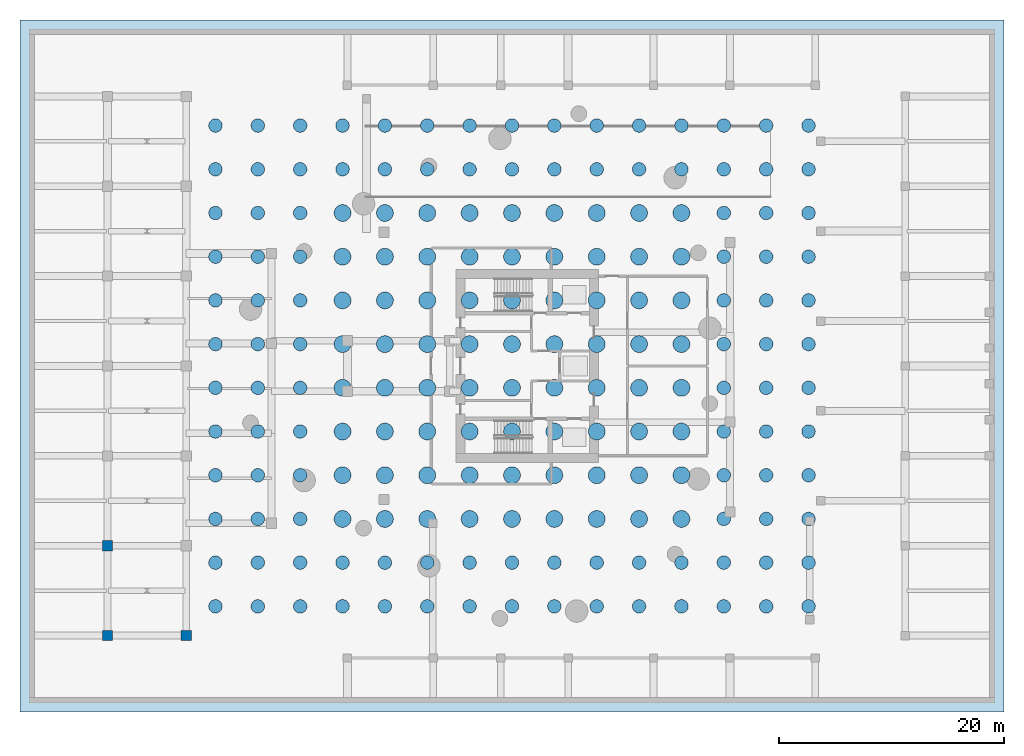
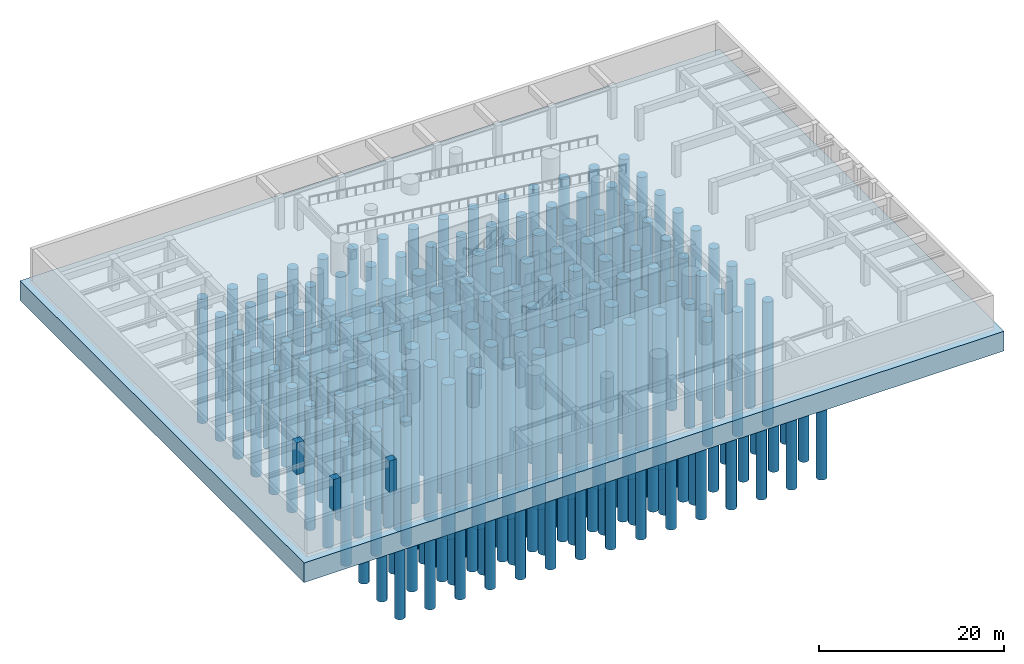
# One storey, part 1 of 11: 180 piles, 3 columns, 1 footing.
"""IFC4 building model written with IfcOpenShell, lengths in metres."""

from ifc_helpers import new_model, si_unit, direction, frame, origin, origin_2d, place, context, subcontext, project, spatial, polyline, rectangle, circle, outline, extrude, source, transform, mapped, material, layer, layer_set, material_profile, profile_set, type_object, element, save


model = new_model("IFC4")

# Units and contexts
model_context = context("Model", 3, precision=1e-05, world=origin(), true_north=direction((0.0, 1.0)))
body_context = subcontext(model_context, "Body", "Model", "MODEL_VIEW")
ifc_project = project(units=[si_unit("LENGTHUNIT", "METRE"), si_unit("AREAUNIT", "SQUARE_METRE"), si_unit("VOLUMEUNIT", "CUBIC_METRE"), si_unit("PLANEANGLEUNIT", "RADIAN"), si_unit("MASSUNIT", "GRAM", prefix="KILO")], contexts=[model_context])

# Site, building, storey
site_placement = place(None, origin())
site = spatial("IfcSite", under=ifc_project, at=site_placement, CompositionType="ELEMENT")
building_placement = place(site_placement, origin())
building = spatial("IfcBuilding", under=site, at=building_placement, Name="Qafzar Sky-Pleat Residences", CompositionType="ELEMENT")
storey_placement = place(building_placement, frame((0.0, 0.0, -8.699951171875)))
storey = spatial("IfcBuildingStorey", under=building, at=storey_placement, Name="B02", CompositionType="ELEMENT", Elevation=-8.699951171875)

# Footing
ifc_material_1 = material(Name="Concrete C60/75", Category="concrete")
ifc_layer = layer(ifc_material_1, 2.60009765625)
ifc_layer_set = layer_set([ifc_layer], Name="Concrete C60/75")
footing_type = type_object("IfcFootingType", Name="FTG-RAFT-2600", PredefinedType="USERDEFINED", material=ifc_layer_set)
footing_placement = place(storey_placement, frame((0.0, 0.0, -3.0)))
element("IfcFooting", 1, at=footing_placement, inside=storey, type_object=footing_type, Name="B02 Piled Raft Foundation", ObjectType="PILED_RAFT", PredefinedType="USERDEFINED", context=body_context, shape_type="SweptSolid", body=[
    extrude(outline(polyline([(-14.800048828125, -4.800048828125), (72.800048828125, -4.800048828125), (72.800048828125, 56.800048828125), (-14.800048828125, 56.800048828125), (-14.800048828125, -4.800048828125)])), origin(), (0.0, 0.0, 1.0), 2.599853515625),
])

# Piles
ifc_material_2 = material(Name="Concrete C50/60", Category="concrete")
ifc_material_profile_1 = material_profile(ifc_material_2, circle(Radius=0.60009765625, at=origin_2d()), Name="PILE D1200")
ifc_profile_set_1 = profile_set([ifc_material_profile_1], Name="Concrete C50/60")
pile_type_1 = type_object("IfcPileType", Name="PILE-D1200", PredefinedType="BORED", material=ifc_profile_set_1)
shared_shape_1 = source(origin(), body_context, "Body", "SweptSolid", [
    extrude(circle(Radius=0.60009765625, at=origin_2d()), origin(), (0.0, 0.0, 1.0), 16.449951171875),
])
for number, where, z_axis, x_axis, name in (
    (2, (2.60009765625, 4.60009765625, -2.85009765625), (0.0, 0.0, -1.0), (1.0, 0.0, 0.0), "Bored Pile PILE-PL2-001"),
    (3, (6.371337890625, 4.60009765625, -2.85009765625), (0.0, 0.0, -1.0), (1.0, 0.0, 0.0), "Bored Pile PILE-PL2-002"),
    (4, (10.142822265625, 4.60009765625, -2.85009765625), (0.0, 0.0, -1.0), (1.0, 0.0, 0.0), "Bored Pile PILE-PL2-003"),
    (5, (13.914306640625, 4.60009765625, -2.85009765625), (0.0, 0.0, -1.0), (1.0, 0.0, 0.0), "Bored Pile PILE-PL2-004"),
    (6, (17.685791015625, 4.60009765625, -2.85009765625), (0.0, 0.0, -1.0), (1.0, 0.0, 0.0), "Bored Pile PILE-PL2-005"),
    (7, (21.45703125, 4.60009765625, -2.85009765625), (0.0, 0.0, -1.0), (1.0, 0.0, 0.0), "Bored Pile PILE-PL2-006"),
    (8, (25.228515625, 4.60009765625, -2.85009765625), (0.0, 0.0, -1.0), (1.0, 0.0, 0.0), "Bored Pile PILE-PL2-007"),
    (9, (29.0, 4.60009765625, -2.85009765625), (0.0, 0.0, -1.0), (1.0, 0.0, 0.0), "Bored Pile PILE-PL2-008"),
    (10, (32.771484375, 4.60009765625, -2.85009765625), (0.0, 0.0, -1.0), (1.0, 0.0, 0.0), "Bored Pile PILE-PL2-009"),
    (11, (36.54296875, 4.60009765625, -2.85009765625), (0.0, 0.0, -1.0), (1.0, 0.0, 0.0), "Bored Pile PILE-PL2-010"),
    (12, (40.314208984375, 4.60009765625, -2.85009765625), (0.0, 0.0, -1.0), (1.0, 0.0, 0.0), "Bored Pile PILE-PL2-011"),
    (13, (44.085693359375, 4.60009765625, -2.85009765625), (0.0, 0.0, -1.0), (1.0, 0.0, 0.0), "Bored Pile PILE-PL2-012"),
    (14, (47.857177734375, 4.60009765625, -2.85009765625), (0.0, 0.0, -1.0), (1.0, 0.0, 0.0), "Bored Pile PILE-PL2-013"),
    (15, (51.628662109375, 4.60009765625, -2.85009765625), (0.0, 0.0, -1.0), (1.0, 0.0, 0.0), "Bored Pile PILE-PL2-014"),
    (16, (55.39990234375, 4.60009765625, -2.85009765625), (0.0, 0.0, -1.0), (1.0, 0.0, 0.0), "Bored Pile PILE-PL2-015"),
    (17, (2.60009765625, 8.490966796875, -2.85009765625), (0.0, 0.0, -1.0), (1.0, 0.0, 0.0), "Bored Pile PILE-PL2-016"),
    (18, (6.371337890625, 8.490966796875, -2.85009765625), (0.0, 0.0, -1.0), (1.0, 0.0, 0.0), "Bored Pile PILE-PL2-017"),
    (19, (10.142822265625, 8.490966796875, -2.85009765625), (0.0, 0.0, -1.0), (1.0, 0.0, 0.0), "Bored Pile PILE-PL2-018"),
    (20, (13.914306640625, 8.490966796875, -2.85009765625), (0.0, 0.0, -1.0), (1.0, 0.0, 0.0), "Bored Pile PILE-PL2-019"),
    (21, (17.685791015625, 8.490966796875, -2.85009765625), (0.0, 0.0, -1.0), (1.0, 0.0, 0.0), "Bored Pile PILE-PL2-020"),
    (22, (21.45703125, 8.490966796875, -2.85009765625), (0.0, 0.0, -1.0), (1.0, 0.0, 0.0), "Bored Pile PILE-PL2-021"),
    (23, (25.228515625, 8.490966796875, -2.85009765625), (0.0, 0.0, -1.0), (1.0, 0.0, 0.0), "Bored Pile PILE-PL2-022"),
    (24, (29.0, 8.490966796875, -2.85009765625), (0.0, 0.0, -1.0), (1.0, 0.0, 0.0), "Bored Pile PILE-PL2-023"),
    (25, (32.771484375, 8.490966796875, -2.85009765625), (0.0, 0.0, -1.0), (1.0, 0.0, 0.0), "Bored Pile PILE-PL2-024"),
    (26, (36.54296875, 8.490966796875, -2.85009765625), (0.0, 0.0, -1.0), (1.0, 0.0, 0.0), "Bored Pile PILE-PL2-025"),
    (27, (40.314208984375, 8.490966796875, -2.85009765625), (0.0, 0.0, -1.0), (1.0, 0.0, 0.0), "Bored Pile PILE-PL2-026"),
    (28, (44.085693359375, 8.490966796875, -2.85009765625), (0.0, 0.0, -1.0), (1.0, 0.0, 0.0), "Bored Pile PILE-PL2-027"),
    (29, (47.857177734375, 8.490966796875, -2.85009765625), (0.0, 0.0, -1.0), (1.0, 0.0, 0.0), "Bored Pile PILE-PL2-028"),
    (30, (51.628662109375, 8.490966796875, -2.85009765625), (0.0, 0.0, -1.0), (1.0, 0.0, 0.0), "Bored Pile PILE-PL2-029"),
    (31, (55.39990234375, 8.490966796875, -2.85009765625), (0.0, 0.0, -1.0), (1.0, 0.0, 0.0), "Bored Pile PILE-PL2-030"),
    (32, (2.60009765625, 12.3818359375, -2.85009765625), (0.0, 0.0, -1.0), (1.0, 0.0, 0.0), "Bored Pile PILE-PL2-031"),
    (33, (6.371337890625, 12.3818359375, -2.85009765625), (0.0, 0.0, -1.0), (1.0, 0.0, 0.0), "Bored Pile PILE-PL2-032"),
    (34, (10.142822265625, 12.3818359375, -2.85009765625), (0.0, 0.0, -1.0), (1.0, 0.0, 0.0), "Bored Pile PILE-PL2-033"),
    (35, (47.857177734375, 12.3818359375, -2.85009765625), (0.0, 0.0, -1.0), (1.0, 0.0, 0.0), "Bored Pile PILE-PL2-034"),
    (36, (51.628662109375, 12.3818359375, -2.85009765625), (0.0, 0.0, -1.0), (1.0, 0.0, 0.0), "Bored Pile PILE-PL2-035"),
    (37, (55.39990234375, 12.3818359375, -2.85009765625), (0.0, 0.0, -1.0), (1.0, 0.0, 0.0), "Bored Pile PILE-PL2-036"),
    (38, (2.60009765625, 16.272705078125, -2.85009765625), (0.0, 0.0, -1.0), (1.0, 0.0, 0.0), "Bored Pile PILE-PL2-037"),
    (39, (6.371337890625, 16.272705078125, -2.85009765625), (0.0, 0.0, -1.0), (1.0, 0.0, 0.0), "Bored Pile PILE-PL2-038"),
    (40, (10.142822265625, 16.272705078125, -2.85009765625), (0.0, 0.0, -1.0), (1.0, 0.0, 0.0), "Bored Pile PILE-PL2-039"),
    (41, (47.857177734375, 16.272705078125, -2.85009765625), (0.0, 0.0, -1.0), (1.0, 0.0, 0.0), "Bored Pile PILE-PL2-040"),
    (42, (51.628662109375, 16.272705078125, -2.85009765625), (0.0, 0.0, -1.0), (1.0, 0.0, 0.0), "Bored Pile PILE-PL2-041"),
    (43, (55.39990234375, 16.272705078125, -2.85009765625), (0.0, 0.0, -1.0), (1.0, 0.0, 0.0), "Bored Pile PILE-PL2-042"),
    (44, (2.60009765625, 20.16357421875, -2.85009765625), (0.0, 0.0, -1.0), (1.0, 0.0, 0.0), "Bored Pile PILE-PL2-043"),
    (45, (6.371337890625, 20.16357421875, -2.85009765625), (0.0, 0.0, -1.0), (1.0, 0.0, 0.0), "Bored Pile PILE-PL2-044"),
    (46, (10.142822265625, 20.16357421875, -2.85009765625), (0.0, 0.0, -1.0), (1.0, 0.0, 0.0), "Bored Pile PILE-PL2-045"),
    (47, (47.857177734375, 20.16357421875, -2.85009765625), (0.0, 0.0, -1.0), (1.0, 0.0, 0.0), "Bored Pile PILE-PL2-046"),
    (48, (51.628662109375, 20.16357421875, -2.85009765625), (0.0, 0.0, -1.0), (1.0, 0.0, 0.0), "Bored Pile PILE-PL2-047"),
    (49, (55.39990234375, 20.16357421875, -2.85009765625), (0.0, 0.0, -1.0), (1.0, 0.0, 0.0), "Bored Pile PILE-PL2-048"),
    (50, (2.60009765625, 24.054443359375, -2.85009765625), (0.0, 0.0, -1.0), (1.0, 0.0, 0.0), "Bored Pile PILE-PL2-049"),
    (51, (6.371337890625, 24.054443359375, -2.85009765625), (0.0, 0.0, -1.0), (1.0, 0.0, 0.0), "Bored Pile PILE-PL2-050"),
    (52, (10.142822265625, 24.054443359375, -2.85009765625), (0.0, 0.0, -1.0), (1.0, 0.0, 0.0), "Bored Pile PILE-PL2-051"),
    (53, (47.857177734375, 24.054443359375, -2.85009765625), (0.0, 0.0, -1.0), (1.0, 0.0, 0.0), "Bored Pile PILE-PL2-052"),
    (54, (51.628662109375, 24.054443359375, -2.85009765625), (0.0, 0.0, -1.0), (1.0, 0.0, 0.0), "Bored Pile PILE-PL2-053"),
    (55, (55.39990234375, 24.054443359375, -2.85009765625), (0.0, 0.0, -1.0), (1.0, 0.0, 0.0), "Bored Pile PILE-PL2-054"),
    (56, (2.60009765625, 27.945556640625, -2.85009765625), (0.0, 0.0, -1.0), (1.0, 0.0, 0.0), "Bored Pile PILE-PL2-055"),
    (57, (6.371337890625, 27.945556640625, -2.85009765625), (0.0, 0.0, -1.0), (1.0, 0.0, 0.0), "Bored Pile PILE-PL2-056"),
    (58, (10.142822265625, 27.945556640625, -2.85009765625), (0.0, 0.0, -1.0), (1.0, 0.0, 0.0), "Bored Pile PILE-PL2-057"),
    (59, (47.857177734375, 27.945556640625, -2.85009765625), (0.0, 0.0, -1.0), (1.0, 0.0, 0.0), "Bored Pile PILE-PL2-058"),
    (60, (51.628662109375, 27.945556640625, -2.85009765625), (0.0, 0.0, -1.0), (1.0, 0.0, 0.0), "Bored Pile PILE-PL2-059"),
    (61, (55.39990234375, 27.945556640625, -2.85009765625), (0.0, 0.0, -1.0), (1.0, 0.0, 0.0), "Bored Pile PILE-PL2-060"),
    (62, (2.60009765625, 31.83642578125, -2.85009765625), (0.0, 0.0, -1.0), (1.0, 0.0, 0.0), "Bored Pile PILE-PL2-061"),
    (63, (6.371337890625, 31.83642578125, -2.85009765625), (0.0, 0.0, -1.0), (1.0, 0.0, 0.0), "Bored Pile PILE-PL2-062"),
    (64, (10.142822265625, 31.83642578125, -2.85009765625), (0.0, 0.0, -1.0), (1.0, 0.0, 0.0), "Bored Pile PILE-PL2-063"),
    (65, (47.857177734375, 31.83642578125, -2.85009765625), (0.0, 0.0, -1.0), (1.0, 0.0, 0.0), "Bored Pile PILE-PL2-064"),
    (66, (51.628662109375, 31.83642578125, -2.85009765625), (0.0, 0.0, -1.0), (1.0, 0.0, 0.0), "Bored Pile PILE-PL2-065"),
    (67, (55.39990234375, 31.83642578125, -2.85009765625), (0.0, 0.0, -1.0), (1.0, 0.0, 0.0), "Bored Pile PILE-PL2-066"),
    (68, (2.60009765625, 35.727294921875, -2.85009765625), (0.0, 0.0, -1.0), (1.0, 0.0, 0.0), "Bored Pile PILE-PL2-067"),
    (69, (6.371337890625, 35.727294921875, -2.85009765625), (0.0, 0.0, -1.0), (1.0, 0.0, 0.0), "Bored Pile PILE-PL2-068"),
    (70, (10.142822265625, 35.727294921875, -2.85009765625), (0.0, 0.0, -1.0), (1.0, 0.0, 0.0), "Bored Pile PILE-PL2-069"),
    (71, (47.857177734375, 35.727294921875, -2.85009765625), (0.0, 0.0, -1.0), (1.0, 0.0, 0.0), "Bored Pile PILE-PL2-070"),
    (72, (51.628662109375, 35.727294921875, -2.85009765625), (0.0, 0.0, -1.0), (1.0, 0.0, 0.0), "Bored Pile PILE-PL2-071"),
    (73, (55.39990234375, 35.727294921875, -2.85009765625), (0.0, 0.0, -1.0), (1.0, 0.0, 0.0), "Bored Pile PILE-PL2-072"),
    (74, (2.60009765625, 39.6181640625, -2.85009765625), (0.0, 0.0, -1.0), (1.0, 0.0, 0.0), "Bored Pile PILE-PL2-073"),
    (75, (6.371337890625, 39.6181640625, -2.85009765625), (0.0, 0.0, -1.0), (1.0, 0.0, 0.0), "Bored Pile PILE-PL2-074"),
    (76, (10.142822265625, 39.6181640625, -2.85009765625), (0.0, 0.0, -1.0), (1.0, 0.0, 0.0), "Bored Pile PILE-PL2-075"),
    (77, (47.857177734375, 39.6181640625, -2.85009765625), (0.0, 0.0, -1.0), (1.0, 0.0, 0.0), "Bored Pile PILE-PL2-076"),
    (78, (51.628662109375, 39.6181640625, -2.85009765625), (0.0, 0.0, -1.0), (1.0, 0.0, 0.0), "Bored Pile PILE-PL2-077"),
    (79, (55.39990234375, 39.6181640625, -2.85009765625), (0.0, 0.0, -1.0), (1.0, 0.0, 0.0), "Bored Pile PILE-PL2-078"),
    (80, (2.60009765625, 43.509033203125, -2.85009765625), (0.0, 0.0, -1.0), (1.0, 0.0, 0.0), "Bored Pile PILE-PL2-079"),
    (81, (6.371337890625, 43.509033203125, -2.85009765625), (0.0, 0.0, -1.0), (1.0, 0.0, 0.0), "Bored Pile PILE-PL2-080"),
    (82, (10.142822265625, 43.509033203125, -2.85009765625), (0.0, 0.0, -1.0), (1.0, 0.0, 0.0), "Bored Pile PILE-PL2-081"),
    (83, (13.914306640625, 43.509033203125, -2.85009765625), (0.0, 0.0, -1.0), (1.0, 0.0, 0.0), "Bored Pile PILE-PL2-082"),
    (84, (17.685791015625, 43.509033203125, -2.85009765625), (0.0, 0.0, -1.0), (1.0, 0.0, 0.0), "Bored Pile PILE-PL2-083"),
    (85, (21.45703125, 43.509033203125, -2.85009765625), (0.0, 0.0, -1.0), (1.0, 0.0, 0.0), "Bored Pile PILE-PL2-084"),
    (86, (25.228515625, 43.509033203125, -2.85009765625), (0.0, 0.0, -1.0), (1.0, 0.0, 0.0), "Bored Pile PILE-PL2-085"),
    (87, (29.0, 43.509033203125, -2.85009765625), (0.0, 0.0, -1.0), (1.0, 0.0, 0.0), "Bored Pile PILE-PL2-086"),
    (88, (32.771484375, 43.509033203125, -2.85009765625), (0.0, 0.0, -1.0), (1.0, 0.0, 0.0), "Bored Pile PILE-PL2-087"),
    (89, (36.54296875, 43.509033203125, -2.85009765625), (0.0, 0.0, -1.0), (1.0, 0.0, 0.0), "Bored Pile PILE-PL2-088"),
    (90, (40.314208984375, 43.509033203125, -2.85009765625), (0.0, 0.0, -1.0), (1.0, 0.0, 0.0), "Bored Pile PILE-PL2-089"),
    (91, (44.085693359375, 43.509033203125, -2.85009765625), (0.0, 0.0, -1.0), (1.0, 0.0, 0.0), "Bored Pile PILE-PL2-090"),
    (92, (47.857177734375, 43.509033203125, -2.85009765625), (0.0, 0.0, -1.0), (1.0, 0.0, 0.0), "Bored Pile PILE-PL2-091"),
    (93, (51.628662109375, 43.509033203125, -2.85009765625), (0.0, 0.0, -1.0), (1.0, 0.0, 0.0), "Bored Pile PILE-PL2-092"),
    (94, (55.39990234375, 43.509033203125, -2.85009765625), (0.0, 0.0, -1.0), (1.0, 0.0, 0.0), "Bored Pile PILE-PL2-093"),
    (95, (2.60009765625, 47.39990234375, -2.85009765625), (0.0, 0.0, -1.0), (1.0, 0.0, 0.0), "Bored Pile PILE-PL2-094"),
    (96, (6.371337890625, 47.39990234375, -2.85009765625), (0.0, 0.0, -1.0), (1.0, 0.0, 0.0), "Bored Pile PILE-PL2-095"),
    (97, (10.142822265625, 47.39990234375, -2.85009765625), (0.0, 0.0, -1.0), (1.0, 0.0, 0.0), "Bored Pile PILE-PL2-096"),
    (98, (13.914306640625, 47.39990234375, -2.85009765625), (0.0, 0.0, -1.0), (1.0, 0.0, 0.0), "Bored Pile PILE-PL2-097"),
    (99, (17.685791015625, 47.39990234375, -2.85009765625), (0.0, 0.0, -1.0), (1.0, 0.0, 0.0), "Bored Pile PILE-PL2-098"),
    (100, (21.45703125, 47.39990234375, -2.85009765625), (0.0, 0.0, -1.0), (1.0, 0.0, 0.0), "Bored Pile PILE-PL2-099"),
    (101, (25.228515625, 47.39990234375, -2.85009765625), (0.0, 0.0, -1.0), (1.0, 0.0, 0.0), "Bored Pile PILE-PL2-100"),
    (102, (29.0, 47.39990234375, -2.85009765625), (0.0, 0.0, -1.0), (1.0, 0.0, 0.0), "Bored Pile PILE-PL2-101"),
    (103, (32.771484375, 47.39990234375, -2.85009765625), (0.0, 0.0, -1.0), (1.0, 0.0, 0.0), "Bored Pile PILE-PL2-102"),
    (104, (36.54296875, 47.39990234375, -2.85009765625), (0.0, 0.0, -1.0), (1.0, 0.0, 0.0), "Bored Pile PILE-PL2-103"),
    (105, (40.314208984375, 47.39990234375, -2.85009765625), (0.0, 0.0, -1.0), (1.0, 0.0, 0.0), "Bored Pile PILE-PL2-104"),
    (106, (44.085693359375, 47.39990234375, -2.85009765625), (0.0, 0.0, -1.0), (1.0, 0.0, 0.0), "Bored Pile PILE-PL2-105"),
    (107, (47.857177734375, 47.39990234375, -2.85009765625), (0.0, 0.0, -1.0), (1.0, 0.0, 0.0), "Bored Pile PILE-PL2-106"),
    (108, (51.628662109375, 47.39990234375, -2.85009765625), (0.0, 0.0, -1.0), (1.0, 0.0, 0.0), "Bored Pile PILE-PL2-107"),
    (109, (55.39990234375, 47.39990234375, -2.85009765625), (0.0, 0.0, -1.0), (1.0, 0.0, 0.0), "Bored Pile PILE-PL2-108"),
):
    element("IfcPile", number, at=place(storey_placement, frame(where, z_axis=z_axis, x_axis=x_axis)), inside=storey, type_object=pile_type_1, Name=name, PredefinedType="BORED", context=body_context, shape_type="MappedRepresentation", body=[
        mapped(shared_shape_1, transform((0.0, 0.0, 0.0), x_axis=(1.0, 0.0, 0.0), y_axis=(0.0, 1.0, 0.0), z_axis=(0.0, 0.0, 1.0), scale=1.0)),
    ])
ifc_material_profile_2 = material_profile(ifc_material_2, circle(Radius=0.75, at=origin_2d()), Name="PILE D1500")
ifc_profile_set_2 = profile_set([ifc_material_profile_2], Name="Concrete C50/60")
pile_type_2 = type_object("IfcPileType", Name="PILE-D1500", PredefinedType="BORED", material=ifc_profile_set_2)
shared_shape_2 = source(origin(), body_context, "Body", "SweptSolid", [
    extrude(circle(Radius=0.75, at=origin_2d()), origin(), (0.0, 0.0, 1.0), 20.449951171875),
])
for number, where, z_axis, x_axis, name in (
    (110, (13.914306640625, 12.3818359375, -2.85009765625), (0.0, 0.0, -1.0), (1.0, 0.0, 0.0), "Bored Pile PILE-PL1-001"),
    (111, (17.685791015625, 12.3818359375, -2.85009765625), (0.0, 0.0, -1.0), (1.0, 0.0, 0.0), "Bored Pile PILE-PL1-002"),
    (112, (21.45703125, 12.3818359375, -2.85009765625), (0.0, 0.0, -1.0), (1.0, 0.0, 0.0), "Bored Pile PILE-PL1-003"),
    (113, (25.228515625, 12.3818359375, -2.85009765625), (0.0, 0.0, -1.0), (1.0, 0.0, 0.0), "Bored Pile PILE-PL1-004"),
    (114, (29.0, 12.3818359375, -2.85009765625), (0.0, 0.0, -1.0), (1.0, 0.0, 0.0), "Bored Pile PILE-PL1-005"),
    (115, (32.771484375, 12.3818359375, -2.85009765625), (0.0, 0.0, -1.0), (1.0, 0.0, 0.0), "Bored Pile PILE-PL1-006"),
    (116, (36.54296875, 12.3818359375, -2.85009765625), (0.0, 0.0, -1.0), (1.0, 0.0, 0.0), "Bored Pile PILE-PL1-007"),
    (117, (40.314208984375, 12.3818359375, -2.85009765625), (0.0, 0.0, -1.0), (1.0, 0.0, 0.0), "Bored Pile PILE-PL1-008"),
    (118, (44.085693359375, 12.3818359375, -2.85009765625), (0.0, 0.0, -1.0), (1.0, 0.0, 0.0), "Bored Pile PILE-PL1-009"),
    (119, (13.914306640625, 16.272705078125, -2.85009765625), (0.0, 0.0, -1.0), (1.0, 0.0, 0.0), "Bored Pile PILE-PL1-010"),
    (120, (17.685791015625, 16.272705078125, -2.85009765625), (0.0, 0.0, -1.0), (1.0, 0.0, 0.0), "Bored Pile PILE-PL1-011"),
    (121, (21.45703125, 16.272705078125, -2.85009765625), (0.0, 0.0, -1.0), (1.0, 0.0, 0.0), "Bored Pile PILE-PL1-012"),
    (122, (25.228515625, 16.272705078125, -2.85009765625), (0.0, 0.0, -1.0), (1.0, 0.0, 0.0), "Bored Pile PILE-PL1-013"),
    (123, (29.0, 16.272705078125, -2.85009765625), (0.0, 0.0, -1.0), (1.0, 0.0, 0.0), "Bored Pile PILE-PL1-014"),
    (124, (32.771484375, 16.272705078125, -2.85009765625), (0.0, 0.0, -1.0), (1.0, 0.0, 0.0), "Bored Pile PILE-PL1-015"),
    (125, (36.54296875, 16.272705078125, -2.85009765625), (0.0, 0.0, -1.0), (1.0, 0.0, 0.0), "Bored Pile PILE-PL1-016"),
    (126, (40.314208984375, 16.272705078125, -2.85009765625), (0.0, 0.0, -1.0), (1.0, 0.0, 0.0), "Bored Pile PILE-PL1-017"),
    (127, (44.085693359375, 16.272705078125, -2.85009765625), (0.0, 0.0, -1.0), (1.0, 0.0, 0.0), "Bored Pile PILE-PL1-018"),
    (128, (13.914306640625, 20.16357421875, -2.85009765625), (0.0, 0.0, -1.0), (1.0, 0.0, 0.0), "Bored Pile PILE-PL1-019"),
    (129, (17.685791015625, 20.16357421875, -2.85009765625), (0.0, 0.0, -1.0), (1.0, 0.0, 0.0), "Bored Pile PILE-PL1-020"),
    (130, (21.45703125, 20.16357421875, -2.85009765625), (0.0, 0.0, -1.0), (1.0, 0.0, 0.0), "Bored Pile PILE-PL1-021"),
    (131, (25.228515625, 20.16357421875, -2.85009765625), (0.0, 0.0, -1.0), (1.0, 0.0, 0.0), "Bored Pile PILE-PL1-022"),
    (132, (29.0, 20.16357421875, -2.85009765625), (0.0, 0.0, -1.0), (1.0, 0.0, 0.0), "Bored Pile PILE-PL1-023"),
    (133, (32.771484375, 20.16357421875, -2.85009765625), (0.0, 0.0, -1.0), (1.0, 0.0, 0.0), "Bored Pile PILE-PL1-024"),
    (134, (36.54296875, 20.16357421875, -2.85009765625), (0.0, 0.0, -1.0), (1.0, 0.0, 0.0), "Bored Pile PILE-PL1-025"),
    (135, (40.314208984375, 20.16357421875, -2.85009765625), (0.0, 0.0, -1.0), (1.0, 0.0, 0.0), "Bored Pile PILE-PL1-026"),
    (136, (44.085693359375, 20.16357421875, -2.85009765625), (0.0, 0.0, -1.0), (1.0, 0.0, 0.0), "Bored Pile PILE-PL1-027"),
    (137, (13.914306640625, 24.054443359375, -2.85009765625), (0.0, 0.0, -1.0), (1.0, 0.0, 0.0), "Bored Pile PILE-PL1-028"),
    (138, (17.685791015625, 24.054443359375, -2.85009765625), (0.0, 0.0, -1.0), (1.0, 0.0, 0.0), "Bored Pile PILE-PL1-029"),
    (139, (21.45703125, 24.054443359375, -2.85009765625), (0.0, 0.0, -1.0), (1.0, 0.0, 0.0), "Bored Pile PILE-PL1-030"),
    (140, (25.228515625, 24.054443359375, -2.85009765625), (0.0, 0.0, -1.0), (1.0, 0.0, 0.0), "Bored Pile PILE-PL1-031"),
    (141, (29.0, 24.054443359375, -2.85009765625), (0.0, 0.0, -1.0), (1.0, 0.0, 0.0), "Bored Pile PILE-PL1-032"),
    (142, (32.771484375, 24.054443359375, -2.85009765625), (0.0, 0.0, -1.0), (1.0, 0.0, 0.0), "Bored Pile PILE-PL1-033"),
    (143, (36.54296875, 24.054443359375, -2.85009765625), (0.0, 0.0, -1.0), (1.0, 0.0, 0.0), "Bored Pile PILE-PL1-034"),
    (144, (40.314208984375, 24.054443359375, -2.85009765625), (0.0, 0.0, -1.0), (1.0, 0.0, 0.0), "Bored Pile PILE-PL1-035"),
    (145, (44.085693359375, 24.054443359375, -2.85009765625), (0.0, 0.0, -1.0), (1.0, 0.0, 0.0), "Bored Pile PILE-PL1-036"),
    (146, (13.914306640625, 27.945556640625, -2.85009765625), (0.0, 0.0, -1.0), (1.0, 0.0, 0.0), "Bored Pile PILE-PL1-037"),
    (147, (17.685791015625, 27.945556640625, -2.85009765625), (0.0, 0.0, -1.0), (1.0, 0.0, 0.0), "Bored Pile PILE-PL1-038"),
    (148, (21.45703125, 27.945556640625, -2.85009765625), (0.0, 0.0, -1.0), (1.0, 0.0, 0.0), "Bored Pile PILE-PL1-039"),
    (149, (25.228515625, 27.945556640625, -2.85009765625), (0.0, 0.0, -1.0), (1.0, 0.0, 0.0), "Bored Pile PILE-PL1-040"),
    (150, (29.0, 27.945556640625, -2.85009765625), (0.0, 0.0, -1.0), (1.0, 0.0, 0.0), "Bored Pile PILE-PL1-041"),
    (151, (32.771484375, 27.945556640625, -2.85009765625), (0.0, 0.0, -1.0), (1.0, 0.0, 0.0), "Bored Pile PILE-PL1-042"),
    (152, (36.54296875, 27.945556640625, -2.85009765625), (0.0, 0.0, -1.0), (1.0, 0.0, 0.0), "Bored Pile PILE-PL1-043"),
    (153, (40.314208984375, 27.945556640625, -2.85009765625), (0.0, 0.0, -1.0), (1.0, 0.0, 0.0), "Bored Pile PILE-PL1-044"),
    (154, (44.085693359375, 27.945556640625, -2.85009765625), (0.0, 0.0, -1.0), (1.0, 0.0, 0.0), "Bored Pile PILE-PL1-045"),
    (155, (13.914306640625, 31.83642578125, -2.85009765625), (0.0, 0.0, -1.0), (1.0, 0.0, 0.0), "Bored Pile PILE-PL1-046"),
    (156, (17.685791015625, 31.83642578125, -2.85009765625), (0.0, 0.0, -1.0), (1.0, 0.0, 0.0), "Bored Pile PILE-PL1-047"),
    (157, (21.45703125, 31.83642578125, -2.85009765625), (0.0, 0.0, -1.0), (1.0, 0.0, 0.0), "Bored Pile PILE-PL1-048"),
    (158, (25.228515625, 31.83642578125, -2.85009765625), (0.0, 0.0, -1.0), (1.0, 0.0, 0.0), "Bored Pile PILE-PL1-049"),
    (159, (29.0, 31.83642578125, -2.85009765625), (0.0, 0.0, -1.0), (1.0, 0.0, 0.0), "Bored Pile PILE-PL1-050"),
    (160, (32.771484375, 31.83642578125, -2.85009765625), (0.0, 0.0, -1.0), (1.0, 0.0, 0.0), "Bored Pile PILE-PL1-051"),
    (161, (36.54296875, 31.83642578125, -2.85009765625), (0.0, 0.0, -1.0), (1.0, 0.0, 0.0), "Bored Pile PILE-PL1-052"),
    (162, (40.314208984375, 31.83642578125, -2.85009765625), (0.0, 0.0, -1.0), (1.0, 0.0, 0.0), "Bored Pile PILE-PL1-053"),
    (163, (44.085693359375, 31.83642578125, -2.85009765625), (0.0, 0.0, -1.0), (1.0, 0.0, 0.0), "Bored Pile PILE-PL1-054"),
    (164, (13.914306640625, 35.727294921875, -2.85009765625), (0.0, 0.0, -1.0), (1.0, 0.0, 0.0), "Bored Pile PILE-PL1-055"),
    (165, (17.685791015625, 35.727294921875, -2.85009765625), (0.0, 0.0, -1.0), (1.0, 0.0, 0.0), "Bored Pile PILE-PL1-056"),
    (166, (21.45703125, 35.727294921875, -2.85009765625), (0.0, 0.0, -1.0), (1.0, 0.0, 0.0), "Bored Pile PILE-PL1-057"),
    (167, (25.228515625, 35.727294921875, -2.85009765625), (0.0, 0.0, -1.0), (1.0, 0.0, 0.0), "Bored Pile PILE-PL1-058"),
    (168, (29.0, 35.727294921875, -2.85009765625), (0.0, 0.0, -1.0), (1.0, 0.0, 0.0), "Bored Pile PILE-PL1-059"),
    (169, (32.771484375, 35.727294921875, -2.85009765625), (0.0, 0.0, -1.0), (1.0, 0.0, 0.0), "Bored Pile PILE-PL1-060"),
    (170, (36.54296875, 35.727294921875, -2.85009765625), (0.0, 0.0, -1.0), (1.0, 0.0, 0.0), "Bored Pile PILE-PL1-061"),
    (171, (40.314208984375, 35.727294921875, -2.85009765625), (0.0, 0.0, -1.0), (1.0, 0.0, 0.0), "Bored Pile PILE-PL1-062"),
    (172, (44.085693359375, 35.727294921875, -2.85009765625), (0.0, 0.0, -1.0), (1.0, 0.0, 0.0), "Bored Pile PILE-PL1-063"),
    (173, (13.914306640625, 39.6181640625, -2.85009765625), (0.0, 0.0, -1.0), (1.0, 0.0, 0.0), "Bored Pile PILE-PL1-064"),
    (174, (17.685791015625, 39.6181640625, -2.85009765625), (0.0, 0.0, -1.0), (1.0, 0.0, 0.0), "Bored Pile PILE-PL1-065"),
    (175, (21.45703125, 39.6181640625, -2.85009765625), (0.0, 0.0, -1.0), (1.0, 0.0, 0.0), "Bored Pile PILE-PL1-066"),
    (176, (25.228515625, 39.6181640625, -2.85009765625), (0.0, 0.0, -1.0), (1.0, 0.0, 0.0), "Bored Pile PILE-PL1-067"),
    (177, (29.0, 39.6181640625, -2.85009765625), (0.0, 0.0, -1.0), (1.0, 0.0, 0.0), "Bored Pile PILE-PL1-068"),
    (178, (32.771484375, 39.6181640625, -2.85009765625), (0.0, 0.0, -1.0), (1.0, 0.0, 0.0), "Bored Pile PILE-PL1-069"),
    (179, (36.54296875, 39.6181640625, -2.85009765625), (0.0, 0.0, -1.0), (1.0, 0.0, 0.0), "Bored Pile PILE-PL1-070"),
    (180, (40.314208984375, 39.6181640625, -2.85009765625), (0.0, 0.0, -1.0), (1.0, 0.0, 0.0), "Bored Pile PILE-PL1-071"),
    (181, (44.085693359375, 39.6181640625, -2.85009765625), (0.0, 0.0, -1.0), (1.0, 0.0, 0.0), "Bored Pile PILE-PL1-072"),
):
    element("IfcPile", number, at=place(storey_placement, frame(where, z_axis=z_axis, x_axis=x_axis)), inside=storey, type_object=pile_type_2, Name=name, PredefinedType="BORED", context=body_context, shape_type="MappedRepresentation", body=[
        mapped(shared_shape_2, transform((0.0, 0.0, 0.0), x_axis=(1.0, 0.0, 0.0), y_axis=(0.0, 1.0, 0.0), z_axis=(0.0, 0.0, 1.0), scale=1.0)),
    ])

# Columns
ifc_material_profile_3 = material_profile(ifc_material_1, rectangle(XDim=0.89990234375, YDim=0.89990234375, at=origin_2d()), Name="RC 900x900")
ifc_profile_set_3 = profile_set([ifc_material_profile_3], Name="Concrete C60/75")
column_type = type_object("IfcColumnType", Name="COL-RC-900", PredefinedType="COLUMN", material=ifc_profile_set_3)
shared_shape_3 = source(origin(), body_context, "Body", "SweptSolid", [
    extrude(rectangle(XDim=0.89990234375, YDim=0.89990234375, at=origin_2d()), origin(), (0.0, 0.0, 1.0), 4.199951171875),
])
for number, where, z_axis, x_axis, name in (
    (182, (-7.0, 2.0, 0.0), (0.0, 0.0, 1.0), (1.0, 0.0, 0.0), "B02 Substructure Column 1"),
    (183, (-7.0, 10.0, 0.0), (0.0, 0.0, 1.0), (1.0, 0.0, 0.0), "B02 Substructure Column 2"),
    (184, (0.0, 2.0, 0.0), (0.0, 0.0, 1.0), (1.0, 0.0, 0.0), "B02 Substructure Column 8"),
):
    element("IfcColumn", number, at=place(storey_placement, frame(where, z_axis=z_axis, x_axis=x_axis)), inside=storey, type_object=column_type, Name=name, PredefinedType="COLUMN", context=body_context, shape_type="MappedRepresentation", body=[
        mapped(shared_shape_3, transform((0.0, 0.0, 0.0), x_axis=(1.0, 0.0, 0.0), y_axis=(0.0, 1.0, 0.0), z_axis=(0.0, 0.0, 1.0), scale=1.0)),
    ])

save(model, "model.ifc")
